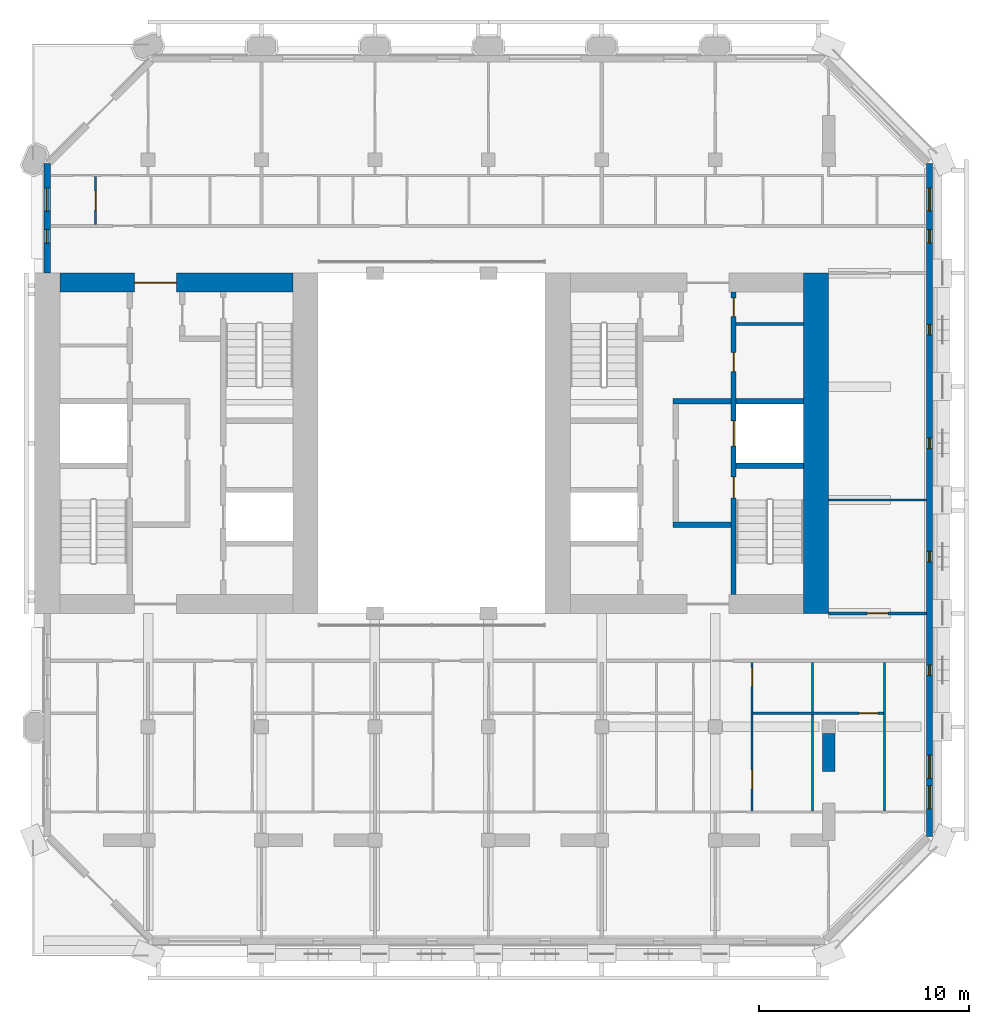
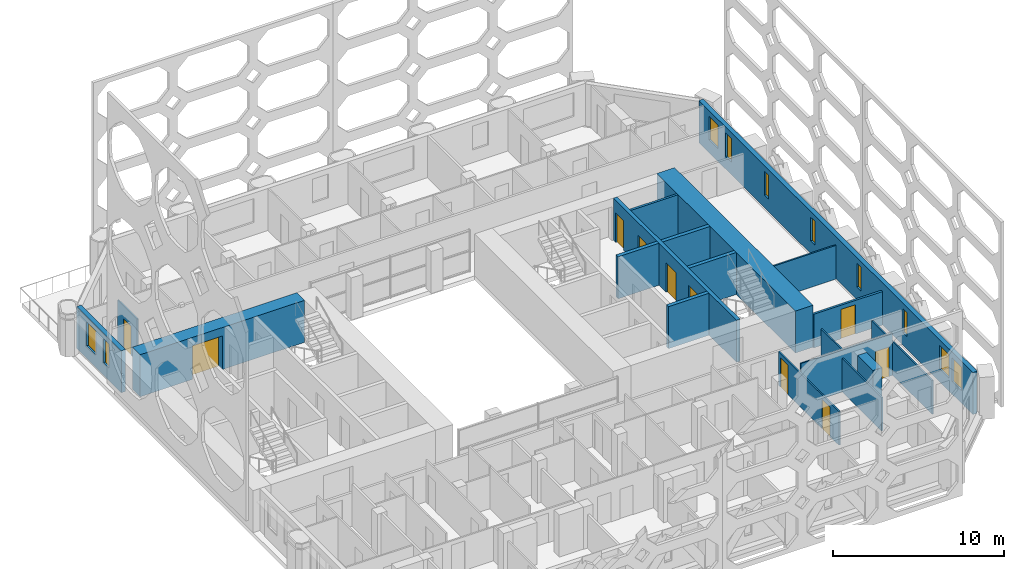
# One storey, part 9 of 15: 19 walls, 10 doors, 10 windows, 20 openings.
"""IFC4 building model written with IfcOpenShell, lengths in metres."""

from ifc_helpers import new_model, si_unit, direction, frame, frame_2d, origin, place, context, subcontext, project, spatial, rectangle, extrude, material, layer, layer_set, type_object, element, fill, save


model = new_model("IFC4")

# Units and contexts
model_context = context("Model", 3, precision=1e-05, world=origin(), true_north=direction((0.0, 1.0)))
body_context = subcontext(model_context, "Body", "Model", "MODEL_VIEW")
ifc_project = project(units=[si_unit("LENGTHUNIT", "METRE"), si_unit("AREAUNIT", "SQUARE_METRE"), si_unit("VOLUMEUNIT", "CUBIC_METRE"), si_unit("PLANEANGLEUNIT", "RADIAN"), si_unit("MASSUNIT", "GRAM", prefix="KILO")], contexts=[model_context])

# Site, building, storey
site_placement = place(None, origin())
site = spatial("IfcSite", under=ifc_project, at=site_placement, CompositionType="ELEMENT")
building_placement = place(site_placement, origin())
building = spatial("IfcBuilding", under=site, at=building_placement, Name="Tabaq Tower and Sports Hall", CompositionType="ELEMENT")
storey_placement = place(building_placement, frame((0.0, 0.0, 265.300048828125)))
storey = spatial("IfcBuildingStorey", under=building, at=storey_placement, Name="L64", CompositionType="ELEMENT", Elevation=265.300048828125)

# Walls
ifc_material_1 = material(Name="Blockwork", Category="masonry")
ifc_layer_1 = layer(ifc_material_1, 0.14990234375)
ifc_layer_set_1 = layer_set([ifc_layer_1], Name="Core room partition 150 Blockwork")
wall_type_1 = type_object("IfcWallType", Name="Core room partition 150 Blockwork", PredefinedType="PARTITIONING", material=ifc_layer_set_1)
wall_1_placement = place(storey_placement, frame((38.800048828125, 29.97705078125, 0.0), z_axis=(0.0, 0.0, 1.0), x_axis=(1.0, 0.0, 0.0)))
element("IfcWall", 1, at=wall_1_placement, inside=storey, type_object=wall_type_1, Name="Core room partition E L64", PredefinedType="PARTITIONING", context=body_context, shape_type="SweptSolid", body=[
    extrude(rectangle(XDim=3.199951171875, YDim=0.14990234375, at=frame_2d((1.60009765625, 0.0))), origin(), (0.0, 0.0, 1.0), 3.0),
])
ifc_material_2 = material(Name="Concrete C40/50", Category="concrete")
ifc_layer_2 = layer(ifc_material_2, 1.199951171875)
ifc_layer_set_2 = layer_set([ifc_layer_2], Name="Core wall 1200 Concrete C40/50")
wall_type_2 = type_object("IfcWallType", Name="Core wall 1200 Concrete C40/50", PredefinedType="SOLIDWALL", material=ifc_layer_set_2)
wall_2_placement = place(storey_placement, frame((42.60009765625, 32.39990234375, 0.0), z_axis=(0.0, 0.0, 1.0), x_axis=(0.0, -1.0, 0.0)))
element("IfcWall", 2, at=wall_2_placement, inside=storey, type_object=wall_type_2, Name="Core wall E L64", PredefinedType="SOLIDWALL", context=body_context, shape_type="SweptSolid", body=[
    extrude(rectangle(XDim=16.199951171875, YDim=1.199951171875, at=frame_2d((8.10009765625, 0.0))), origin(), (0.0, 0.0, 1.0), 3.0),
])

# Wall, opening, door
ifc_material_3 = material(Name="Concrete C40/50", Category="concrete")
ifc_layer_3 = layer(ifc_material_3, 0.89990234375)
ifc_layer_set_3 = layer_set([ifc_layer_3], Name="Core wall 900 Concrete C40/50")
wall_type_3 = type_object("IfcWallType", Name="Core wall 900 Concrete C40/50", PredefinedType="SOLIDWALL", material=ifc_layer_set_3)
wall_3_placement = place(storey_placement, frame((6.60009765625, 31.949951171875, 0.0), z_axis=(0.0, 0.0, 1.0), x_axis=(1.0, 0.0, 0.0)))
wall_3 = element("IfcWall", 3, at=wall_3_placement, inside=storey, type_object=wall_type_3, Name="Core wall W L64", PredefinedType="SOLIDWALL", context=body_context, shape_type="SweptSolid", body=[
    extrude(rectangle(XDim=11.099853515625, YDim=0.89990234375, at=frame_2d((5.5498046875, 0.0))), origin(), (0.0, 0.0, 1.0), 3.0),
])
opening_1_placement = place(wall_3_placement, frame((3.550048828125, 0.0, 0.0)))
opening_1 = element("IfcOpeningElement", 4, at=opening_1_placement, cuts=wall_3, Name="Opening PD-WL64-02", PredefinedType="OPENING", context=body_context, shape_type="SweptSolid", body=[
    extrude(rectangle(XDim=2.0, YDim=2.39990234375, at=frame_2d((1.0, 1.199951171875))), frame((0.0, 0.449951171875, 0.0), z_axis=(0.0, -1.0, 0.0), x_axis=(1.0, 0.0, 0.0)), (0.0, 0.0, 1.0), 0.89990234375),
])
ifc_material_4 = material(Name="Steel fire door", Category="steel")
door_type_1 = type_object("IfcDoorType", Name="Core entrance door 2000", OperationType="DOUBLE_DOOR_SINGLE_SWING", PredefinedType="DOOR", material=ifc_material_4)
door_1_placement = place(opening_1_placement, origin())
door_1 = element("IfcDoor", 5, at=door_1_placement, inside=storey, type_object=door_type_1, Name="Core entrance north W L64", OperationType="DOUBLE_DOOR_SINGLE_SWING", OverallHeight=2.39990234375, OverallWidth=2.0, PredefinedType="DOOR", context=body_context, shape_type="SweptSolid", body=[
    extrude(rectangle(XDim=2.0, YDim=2.39990234375, at=frame_2d((1.0, 1.199951171875))), frame((0.0, 0.02490234375, 0.0), z_axis=(0.0, -1.0, 0.0), x_axis=(1.0, 0.0, 0.0)), (0.0, 0.0, 1.0), 0.050048828125),
])
fill(opening_1, door_1)

ifc_material_5 = material(Name="Gypsum board on steel studs", Category="steel")
ifc_layer_4 = layer(ifc_material_5, 0.10009765625)
ifc_layer_set_4 = layer_set([ifc_layer_4], Name="Partition 100 Gypsum board")
wall_type_4 = type_object("IfcWallType", Name="Partition 100 Gypsum board", PredefinedType="PARTITIONING", material=ifc_layer_set_4)
wall_4_placement = place(storey_placement, frame((8.300048828125, 34.72509765625, 0.0), z_axis=(0.0, 0.0, 1.0), x_axis=(0.0, 1.0, 0.0)))
wall_4 = element("IfcWall", 6, at=wall_4_placement, inside=storey, type_object=wall_type_4, Name="Partition wall L64", PredefinedType="PARTITIONING", context=body_context, shape_type="SweptSolid", body=[
    extrude(rectangle(XDim=2.27490234375, YDim=0.10009765625, at=frame_2d((1.137451171875, 0.0))), origin(), (0.0, 0.0, 1.0), 3.0),
])
opening_2_placement = place(wall_4_placement, frame((0.675048828125, 0.0, 0.0)))
opening_2 = element("IfcOpeningElement", 7, at=opening_2_placement, cuts=wall_4, Name="Opening L64-032", PredefinedType="OPENING", context=body_context, shape_type="SweptSolid", body=[
    extrude(rectangle(XDim=0.89990234375, YDim=2.10009765625, at=frame_2d((0.449951171875, 1.050048828125))), frame((0.0, 0.050048828125, 0.0), z_axis=(0.0, -1.0, 0.0), x_axis=(1.0, 0.0, 0.0)), (0.0, 0.0, 1.0), 0.10009765625),
])
ifc_material_6 = material(Name="Timber leaf in steel frame", Category="steel")
door_type_2 = type_object("IfcDoorType", Name="Internal door 900 left hand", OperationType="SINGLE_SWING_LEFT", PredefinedType="DOOR", material=ifc_material_6)
door_2_placement = place(opening_2_placement, origin())
door_2 = element("IfcDoor", 8, at=door_2_placement, inside=storey, type_object=door_type_2, Name="Internal door L64-032", OperationType="SINGLE_SWING_LEFT", OverallHeight=2.10009765625, OverallWidth=0.89990234375, PredefinedType="DOOR", context=body_context, shape_type="SweptSolid", body=[
    extrude(rectangle(XDim=0.89990234375, YDim=2.10009765625, at=frame_2d((0.449951171875, 1.050048828125))), frame((0.0, 0.02490234375, 0.0), z_axis=(0.0, -1.0, 0.0), x_axis=(1.0, 0.0, 0.0)), (0.0, 0.0, 1.0), 0.050048828125),
])
fill(opening_2, door_2)

# Wall
wall_5_placement = place(storey_placement, frame((43.199951171875, 21.60009765625, 0.0), z_axis=(0.0, 0.0, 1.0), x_axis=(1.0, 0.0, 0.0)))
element("IfcWall", 9, at=wall_5_placement, inside=storey, type_object=wall_type_4, Name="Partition wall L64", PredefinedType="PARTITIONING", context=body_context, shape_type="SweptSolid", body=[
    extrude(rectangle(XDim=4.649169921875, YDim=0.10009765625, at=frame_2d((2.32470703125, 0.0))), origin(), (0.0, 0.0, 1.0), 2.39990234375),
])

# Wall, openings, doors
wall_6_placement = place(storey_placement, frame((39.555908203125, 6.800048828125, 0.0), z_axis=(0.0, 0.0, 1.0), x_axis=(0.0, 1.0, 0.0)))
wall_6 = element("IfcWall", 10, at=wall_6_placement, inside=storey, type_object=wall_type_4, Name="Partition wall L64", PredefinedType="PARTITIONING", context=body_context, shape_type="SweptSolid", body=[
    extrude(rectangle(XDim=7.074951171875, YDim=0.10009765625, at=frame_2d((3.53759765625, 0.0))), origin(), (0.0, 0.0, 1.0), 2.39990234375),
])
opening_3_placement = place(wall_6_placement, frame((1.050048828125, 0.0, 0.0)))
opening_3 = element("IfcOpeningElement", 11, at=opening_3_placement, cuts=wall_6, Name="Opening L64-027", PredefinedType="OPENING", context=body_context, shape_type="SweptSolid", body=[
    extrude(rectangle(XDim=0.89990234375, YDim=2.10009765625, at=frame_2d((0.449951171875, 1.050048828125))), frame((0.0, 0.050048828125, 0.0), z_axis=(0.0, -1.0, 0.0), x_axis=(1.0, 0.0, 0.0)), (0.0, 0.0, 1.0), 0.10009765625),
])
opening_4_placement = place(wall_6_placement, frame((5.925048828125, 0.0, 0.0)))
opening_4 = element("IfcOpeningElement", 12, at=opening_4_placement, cuts=wall_6, Name="Opening L64-028", PredefinedType="OPENING", context=body_context, shape_type="SweptSolid", body=[
    extrude(rectangle(XDim=0.89990234375, YDim=2.10009765625, at=frame_2d((0.449951171875, 1.050048828125))), frame((0.0, 0.050048828125, 0.0), z_axis=(0.0, -1.0, 0.0), x_axis=(1.0, 0.0, 0.0)), (0.0, 0.0, 1.0), 0.10009765625),
])
door_3_placement = place(opening_3_placement, origin())
door_3 = element("IfcDoor", 13, at=door_3_placement, inside=storey, type_object=door_type_2, Name="Internal door L64-027", OperationType="SINGLE_SWING_LEFT", OverallHeight=2.10009765625, OverallWidth=0.89990234375, PredefinedType="DOOR", context=body_context, shape_type="SweptSolid", body=[
    extrude(rectangle(XDim=0.89990234375, YDim=2.10009765625, at=frame_2d((0.449951171875, 1.050048828125))), frame((0.0, 0.02490234375, 0.0), z_axis=(0.0, -1.0, 0.0), x_axis=(1.0, 0.0, 0.0)), (0.0, 0.0, 1.0), 0.050048828125),
])
fill(opening_3, door_3)
door_4_placement = place(opening_4_placement, origin())
door_4 = element("IfcDoor", 14, at=door_4_placement, inside=storey, type_object=door_type_2, Name="Internal door L64-028", OperationType="SINGLE_SWING_LEFT", OverallHeight=2.10009765625, OverallWidth=0.89990234375, PredefinedType="DOOR", context=body_context, shape_type="SweptSolid", body=[
    extrude(rectangle(XDim=0.89990234375, YDim=2.10009765625, at=frame_2d((0.449951171875, 1.050048828125))), frame((0.0, 0.02490234375, 0.0), z_axis=(0.0, -1.0, 0.0), x_axis=(1.0, 0.0, 0.0)), (0.0, 0.0, 1.0), 0.050048828125),
])
fill(opening_4, door_4)

# Walls
wall_7_placement = place(storey_placement, frame((42.43505859375, 6.800048828125, 0.0), z_axis=(0.0, 0.0, 1.0), x_axis=(0.0, 1.0, 0.0)))
element("IfcWall", 15, at=wall_7_placement, inside=storey, type_object=wall_type_4, Name="Partition wall L64", PredefinedType="PARTITIONING", context=body_context, shape_type="SweptSolid", body=[
    extrude(rectangle(XDim=4.599853515625, YDim=0.10009765625, at=frame_2d((2.2998046875, 0.0))), origin(), (0.0, 0.0, 1.0), 2.39990234375),
])
wall_8_placement = place(storey_placement, frame((42.43505859375, 11.5, 0.0), z_axis=(0.0, 0.0, 1.0), x_axis=(0.0, 1.0, 0.0)))
element("IfcWall", 16, at=wall_8_placement, inside=storey, type_object=wall_type_4, Name="Partition wall L64", PredefinedType="PARTITIONING", context=body_context, shape_type="SweptSolid", body=[
    extrude(rectangle(XDim=2.375, YDim=0.10009765625, at=frame_2d((1.1875, 0.0))), origin(), (0.0, 0.0, 1.0), 3.0),
])

# Wall, opening, door
wall_9_placement = place(storey_placement, frame((45.800048828125, 11.449951171875, 0.0), z_axis=(0.0, 0.0, 1.0), x_axis=(-1.0, 0.0, 0.0)))
wall_9 = element("IfcWall", 17, at=wall_9_placement, inside=storey, type_object=wall_type_4, Name="Partition wall L64", PredefinedType="PARTITIONING", context=body_context, shape_type="SweptSolid", body=[
    extrude(rectangle(XDim=6.194091796875, YDim=0.10009765625, at=frame_2d((3.09716796875, 0.0))), origin(), (0.0, 0.0, 1.0), 3.0),
])
opening_5_placement = place(wall_9_placement, frame((0.25, 0.0, 0.0)))
opening_5 = element("IfcOpeningElement", 18, at=opening_5_placement, cuts=wall_9, Name="Opening L64-029", PredefinedType="OPENING", context=body_context, shape_type="SweptSolid", body=[
    extrude(rectangle(XDim=0.89990234375, YDim=2.10009765625, at=frame_2d((0.449951171875, 1.050048828125))), frame((0.0, 0.050048828125, 0.0), z_axis=(0.0, -1.0, 0.0), x_axis=(1.0, 0.0, 0.0)), (0.0, 0.0, 1.0), 0.10009765625),
])
door_5_placement = place(opening_5_placement, origin())
door_5 = element("IfcDoor", 19, at=door_5_placement, inside=storey, type_object=door_type_2, Name="Internal door L64-029", OperationType="SINGLE_SWING_LEFT", OverallHeight=2.10009765625, OverallWidth=0.89990234375, PredefinedType="DOOR", context=body_context, shape_type="SweptSolid", body=[
    extrude(rectangle(XDim=0.89990234375, YDim=2.10009765625, at=frame_2d((0.449951171875, 1.050048828125))), frame((0.0, 0.02490234375, 0.0), z_axis=(0.0, -1.0, 0.0), x_axis=(1.0, 0.0, 0.0)), (0.0, 0.0, 1.0), 0.050048828125),
])
fill(opening_5, door_5)

# Walls
wall_10_placement = place(storey_placement, frame((45.85009765625, 6.800048828125, 0.0), z_axis=(0.0, 0.0, 1.0), x_axis=(0.0, 1.0, 0.0)))
element("IfcWall", 20, at=wall_10_placement, inside=storey, type_object=wall_type_4, Name="Partition wall L64", PredefinedType="PARTITIONING", context=body_context, shape_type="SweptSolid", body=[
    extrude(rectangle(XDim=7.074951171875, YDim=0.10009765625, at=frame_2d((3.53759765625, 0.0))), origin(), (0.0, 0.0, 1.0), 2.39990234375),
])
ifc_material_7 = material(Name="Concrete C40/50", Category="concrete")
ifc_layer_5 = layer(ifc_material_7, 0.60009765625)
ifc_layer_set_5 = layer_set([ifc_layer_5], Name="RC TRANSFER WALL 600 C40/50")
wall_type_5 = type_object("IfcWallType", Name="RC TRANSFER WALL 600 C40/50", PredefinedType="SHEAR", material=ifc_layer_set_5)
wall_11_placement = place(storey_placement, frame((43.199951171875, 8.6875, 0.0), z_axis=(0.0, 0.0, 1.0), x_axis=(0.0, 1.0, 0.0)))
element("IfcWall", 21, at=wall_11_placement, inside=storey, type_object=wall_type_5, Name="Transfer Wall L64 East 2", PredefinedType="SHEAR", context=body_context, shape_type="SweptSolid", body=[
    extrude(rectangle(XDim=1.78759765625, YDim=0.60009765625, at=frame_2d((0.893798828125, 0.0))), origin(), (0.0, 0.0, 1.0), 3.0),
])

# Wall, opening, door
ifc_material_8 = material(Name="Blockwork", Category="masonry")
ifc_layer_6 = layer(ifc_material_8, 0.14990234375)
ifc_layer_set_6 = layer_set([ifc_layer_6], Name="Separating wall 150 Blockwork")
wall_type_6 = type_object("IfcWallType", Name="Separating wall 150 Blockwork", PredefinedType="PARTITIONING", material=ifc_layer_set_6)
wall_12_placement = place(storey_placement, frame((43.199951171875, 16.199951171875, 0.0), z_axis=(0.0, 0.0, 1.0), x_axis=(1.0, 0.0, 0.0)))
wall_12 = element("IfcWall", 22, at=wall_12_placement, inside=storey, type_object=wall_type_6, Name="Separating wall L64", PredefinedType="PARTITIONING", context=body_context, shape_type="SweptSolid", body=[
    extrude(rectangle(XDim=4.649169921875, YDim=0.14990234375, at=frame_2d((2.32470703125, 0.0))), origin(), (0.0, 0.0, 1.0), 2.39990234375),
])
opening_6_placement = place(wall_12_placement, frame((1.824951171875, 0.0, 0.0)))
opening_6 = element("IfcOpeningElement", 23, at=opening_6_placement, cuts=wall_12, Name="Opening L64-030", PredefinedType="OPENING", context=body_context, shape_type="SweptSolid", body=[
    extrude(rectangle(XDim=1.0, YDim=2.10009765625, at=frame_2d((0.5, 1.050048828125))), frame((0.0, 0.074951171875, 0.0), z_axis=(0.0, -1.0, 0.0), x_axis=(1.0, 0.0, 0.0)), (0.0, 0.0, 1.0), 0.14990234375),
])
ifc_material_9 = material(Name="Timber leaf in steel frame", Category="steel")
door_type_3 = type_object("IfcDoorType", Name="Internal door 1000 left hand", OperationType="SINGLE_SWING_LEFT", PredefinedType="DOOR", material=ifc_material_9)
door_6_placement = place(opening_6_placement, origin())
door_6 = element("IfcDoor", 24, at=door_6_placement, inside=storey, type_object=door_type_3, Name="Internal door L64-030", OperationType="SINGLE_SWING_LEFT", OverallHeight=2.10009765625, OverallWidth=1.0, PredefinedType="DOOR", context=body_context, shape_type="SweptSolid", body=[
    extrude(rectangle(XDim=1.0, YDim=2.10009765625, at=frame_2d((0.5, 1.050048828125))), frame((0.0, 0.02490234375, 0.0), z_axis=(0.0, -1.0, 0.0), x_axis=(1.0, 0.0, 0.0)), (0.0, 0.0, 1.0), 0.050048828125),
])
fill(opening_6, door_6)

# Wall, openings, doors
ifc_material_10 = material(Name="Concrete C40/50", Category="concrete")
ifc_layer_7 = layer(ifc_material_10, 0.25)
ifc_layer_set_7 = layer_set([ifc_layer_7], Name="Shaft and stair wall 250 Concrete C40/50")
wall_type_7 = type_object("IfcWallType", Name="Shaft and stair wall 250 Concrete C40/50", PredefinedType="SOLIDWALL", material=ifc_layer_set_7)
wall_13_placement = place(storey_placement, frame((38.675048828125, 17.10009765625, 0.0), z_axis=(0.0, 0.0, 1.0), x_axis=(0.0, 1.0, 0.0)))
wall_13 = element("IfcWall", 25, at=wall_13_placement, inside=storey, type_object=wall_type_7, Name="Shaft wall E L64", PredefinedType="SOLIDWALL", context=body_context, shape_type="SweptSolid", body=[
    extrude(rectangle(XDim=14.39990234375, YDim=0.25, at=frame_2d((7.199951171875, 0.0))), origin(), (0.0, 0.0, 1.0), 3.0),
])
opening_7_placement = place(wall_13_placement, frame((4.60009765625, 0.0, 0.0)))
opening_7 = element("IfcOpeningElement", 26, at=opening_7_placement, cuts=wall_13, Name="Opening SD-EL64-03", PredefinedType="OPENING", context=body_context, shape_type="SweptSolid", body=[
    extrude(rectangle(XDim=1.0, YDim=2.10009765625, at=frame_2d((0.5, 1.050048828125))), frame((0.0, 0.125, 0.0), z_axis=(0.0, -1.0, 0.0), x_axis=(1.0, 0.0, 0.0)), (0.0, 0.0, 1.0), 0.25),
])
opening_8_placement = place(wall_13_placement, frame((7.0625, 0.0, 0.0)))
opening_8 = element("IfcOpeningElement", 27, at=opening_8_placement, cuts=wall_13, Name="Opening LD-FF2-L64", PredefinedType="OPENING", context=body_context, shape_type="SweptSolid", body=[
    extrude(rectangle(XDim=1.199951171875, YDim=2.10009765625, at=frame_2d((0.60009765625, 1.050048828125))), frame((0.0, 0.125, 0.0), z_axis=(0.0, -1.0, 0.0), x_axis=(1.0, 0.0, 0.0)), (0.0, 0.0, 1.0), 0.25),
])
opening_9_placement = place(wall_13_placement, frame((10.613525390625, 0.0, 0.0)))
opening_9 = element("IfcOpeningElement", 28, at=opening_9_placement, cuts=wall_13, Name="Opening RD-EL64-09", PredefinedType="OPENING", context=body_context, shape_type="SweptSolid", body=[
    extrude(rectangle(XDim=0.89990234375, YDim=2.10009765625, at=frame_2d((0.449951171875, 1.050048828125))), frame((0.0, 0.125, 0.0), z_axis=(0.0, -1.0, 0.0), x_axis=(1.0, 0.0, 0.0)), (0.0, 0.0, 1.0), 0.25),
])
opening_10_placement = place(wall_13_placement, frame((13.22607421875, 0.0, 0.0)))
opening_10 = element("IfcOpeningElement", 29, at=opening_10_placement, cuts=wall_13, Name="Opening RD-EL64-10", PredefinedType="OPENING", context=body_context, shape_type="SweptSolid", body=[
    extrude(rectangle(XDim=0.89990234375, YDim=2.10009765625, at=frame_2d((0.449951171875, 1.050048828125))), frame((0.0, 0.125, 0.0), z_axis=(0.0, -1.0, 0.0), x_axis=(1.0, 0.0, 0.0)), (0.0, 0.0, 1.0), 0.25),
])
ifc_material_11 = material(Name="Steel fire door", Category="steel")
door_type_4 = type_object("IfcDoorType", Name="Core room door 900", OperationType="SINGLE_SWING_LEFT", PredefinedType="DOOR", material=ifc_material_11)
door_7_placement = place(opening_9_placement, origin())
door_7 = element("IfcDoor", 30, at=door_7_placement, inside=storey, type_object=door_type_4, Name="Door Comms Room E L64", OperationType="SINGLE_SWING_LEFT", OverallHeight=2.10009765625, OverallWidth=0.89990234375, PredefinedType="DOOR", context=body_context, shape_type="SweptSolid", body=[
    extrude(rectangle(XDim=0.89990234375, YDim=2.10009765625, at=frame_2d((0.449951171875, 1.050048828125))), frame((0.0, 0.02490234375, 0.0), z_axis=(0.0, -1.0, 0.0), x_axis=(1.0, 0.0, 0.0)), (0.0, 0.0, 1.0), 0.050048828125),
])
fill(opening_9, door_7)
door_8_placement = place(opening_10_placement, origin())
door_8 = element("IfcDoor", 31, at=door_8_placement, inside=storey, type_object=door_type_4, Name="Door Electrical Room E L64", OperationType="SINGLE_SWING_LEFT", OverallHeight=2.10009765625, OverallWidth=0.89990234375, PredefinedType="DOOR", context=body_context, shape_type="SweptSolid", body=[
    extrude(rectangle(XDim=0.89990234375, YDim=2.10009765625, at=frame_2d((0.449951171875, 1.050048828125))), frame((0.0, 0.02490234375, 0.0), z_axis=(0.0, -1.0, 0.0), x_axis=(1.0, 0.0, 0.0)), (0.0, 0.0, 1.0), 0.050048828125),
])
fill(opening_10, door_8)
ifc_material_12 = material(Name="Stainless steel", Category="steel")
door_type_5 = type_object("IfcDoorType", Name="Lift landing door 1200", OperationType="DOUBLE_DOOR_SLIDING", PredefinedType="DOOR", material=ifc_material_12)
door_9_placement = place(opening_8_placement, origin())
door_9 = element("IfcDoor", 32, at=door_9_placement, inside=storey, type_object=door_type_5, Name="Lift landing door FF2 E L64", OperationType="DOUBLE_DOOR_SLIDING", OverallHeight=2.10009765625, OverallWidth=1.199951171875, PredefinedType="DOOR", context=body_context, shape_type="SweptSolid", body=[
    extrude(rectangle(XDim=1.199951171875, YDim=2.10009765625, at=frame_2d((0.60009765625, 1.050048828125))), frame((0.0, 0.02490234375, 0.0), z_axis=(0.0, -1.0, 0.0), x_axis=(1.0, 0.0, 0.0)), (0.0, 0.0, 1.0), 0.050048828125),
])
fill(opening_8, door_9)
ifc_material_13 = material(Name="Steel fire door", Category="steel")
door_type_6 = type_object("IfcDoorType", Name="Stair door 1000", OperationType="SINGLE_SWING_LEFT", PredefinedType="DOOR", material=ifc_material_13)
door_10_placement = place(opening_7_placement, origin())
door_10 = element("IfcDoor", 33, at=door_10_placement, inside=storey, type_object=door_type_6, Name="Stair door ST3 E L64", OperationType="SINGLE_SWING_LEFT", OverallHeight=2.10009765625, OverallWidth=1.0, PredefinedType="DOOR", context=body_context, shape_type="SweptSolid", body=[
    extrude(rectangle(XDim=1.0, YDim=2.10009765625, at=frame_2d((0.5, 1.050048828125))), frame((0.0, 0.02490234375, 0.0), z_axis=(0.0, -1.0, 0.0), x_axis=(1.0, 0.0, 0.0)), (0.0, 0.0, 1.0), 0.050048828125),
])
fill(opening_7, door_10)

# Walls
for number, where, z_axis, x_axis, name in (
    (34, (38.800048828125, 23.22509765625, 0.0), (0.0, 0.0, 1.0), (1.0, 0.0, 0.0), "Stair enclosure wall E L64"),
    (35, (38.800048828125, 26.300048828125, 0.0), (0.0, 0.0, 1.0), (1.0, 0.0, 0.0), "Shaft wall E L64"),
):
    element("IfcWall", number, at=place(storey_placement, frame(where, z_axis=z_axis, x_axis=x_axis)), inside=storey, type_object=wall_type_7, Name=name, PredefinedType="SOLIDWALL", context=body_context, shape_type="SweptSolid", body=[
        extrude(rectangle(XDim=3.199951171875, YDim=0.25, at=frame_2d((1.60009765625, 0.0))), origin(), (0.0, 0.0, 1.0), 3.0),
    ])
for number, where, z_axis, x_axis, name in (
    (36, (35.800048828125, 26.300048828125, 0.0), (0.0, 0.0, 1.0), (1.0, 0.0, 0.0), "Fire-fighting lobby wall E L64"),
    (37, (35.800048828125, 20.425048828125, 0.0), (0.0, 0.0, 1.0), (1.0, 0.0, 0.0), "Fire-fighting lobby wall E L64"),
):
    element("IfcWall", number, at=place(storey_placement, frame(where, z_axis=z_axis, x_axis=x_axis)), inside=storey, type_object=wall_type_7, Name=name, PredefinedType="SOLIDWALL", context=body_context, shape_type="SweptSolid", body=[
        extrude(rectangle(XDim=2.75, YDim=0.25, at=frame_2d((1.375, 0.0))), origin(), (0.0, 0.0, 1.0), 3.0),
    ])

# Wall, openings, windows
ifc_material_14 = material(Name="White precast concrete C60/75", Category="concrete")
ifc_layer_8 = layer(ifc_material_14, 0.300048828125)
ifc_layer_set_8 = layer_set([ifc_layer_8], Name="White precast concrete C60/75 external wall 300")
wall_type_8 = type_object("IfcWallType", Name="White precast concrete C60/75 external wall 300", PredefinedType="SOLIDWALL", material=ifc_layer_set_8)
wall_14_placement = place(storey_placement, frame((48.0, 5.58642578125, 0.0), z_axis=(0.0, 0.0, 1.0), x_axis=(0.0, 1.0, 0.0)))
wall_14 = element("IfcWall", 38, at=wall_14_placement, inside=storey, type_object=wall_type_8, Name="External Wall L64 E", PredefinedType="SOLIDWALL", context=body_context, shape_type="SweptSolid", body=[
    extrude(rectangle(XDim=32.027099609375, YDim=0.300048828125, at=frame_2d((16.013671875, 0.0))), origin(), (0.0, 0.0, 1.0), 3.0),
])
opening_11_placement = place(wall_14_placement, frame((1.313720703125, 0.0, 0.89990234375)))
opening_11 = element("IfcOpeningElement", 39, at=opening_11_placement, cuts=wall_14, Name="Opening W1B", PredefinedType="OPENING", context=body_context, shape_type="SweptSolid", body=[
    extrude(rectangle(XDim=1.10009765625, YDim=1.699951171875, at=frame_2d((0.550048828125, 0.85009765625))), frame((0.0, 0.16015625, 0.0), z_axis=(0.0, -1.0, 0.0), x_axis=(1.0, 0.0, 0.0)), (0.0, 0.0, 1.0), 0.320068359375),
])
opening_12_placement = place(wall_14_placement, frame((2.763671875, 0.0, 0.89990234375)))
opening_12 = element("IfcOpeningElement", 40, at=opening_12_placement, cuts=wall_14, Name="Opening W1B", PredefinedType="OPENING", context=body_context, shape_type="SweptSolid", body=[
    extrude(rectangle(XDim=1.10009765625, YDim=1.699951171875, at=frame_2d((0.550048828125, 0.85009765625))), frame((0.0, 0.16015625, 0.0), z_axis=(0.0, -1.0, 0.0), x_axis=(1.0, 0.0, 0.0)), (0.0, 0.0, 1.0), 0.320068359375),
])
opening_13_placement = place(wall_14_placement, frame((7.66357421875, 0.0, 0.89990234375)))
opening_13 = element("IfcOpeningElement", 41, at=opening_13_placement, cuts=wall_14, Name="Opening W1E", PredefinedType="OPENING", context=body_context, shape_type="SweptSolid", body=[
    extrude(rectangle(XDim=0.5, YDim=1.699951171875, at=frame_2d((0.25, 0.85009765625))), frame((0.0, 0.16015625, 0.0), z_axis=(0.0, -1.0, 0.0), x_axis=(1.0, 0.0, 0.0)), (0.0, 0.0, 1.0), 0.320068359375),
])
opening_14_placement = place(wall_14_placement, frame((13.063720703125, 0.0, 0.89990234375)))
opening_14 = element("IfcOpeningElement", 42, at=opening_14_placement, cuts=wall_14, Name="Opening W1E", PredefinedType="OPENING", context=body_context, shape_type="SweptSolid", body=[
    extrude(rectangle(XDim=0.5, YDim=1.699951171875, at=frame_2d((0.25, 0.85009765625))), frame((0.0, 0.16015625, 0.0), z_axis=(0.0, -1.0, 0.0), x_axis=(1.0, 0.0, 0.0)), (0.0, 0.0, 1.0), 0.320068359375),
])
opening_15_placement = place(wall_14_placement, frame((18.463623046875, 0.0, 0.89990234375)))
opening_15 = element("IfcOpeningElement", 43, at=opening_15_placement, cuts=wall_14, Name="Opening W1E", PredefinedType="OPENING", context=body_context, shape_type="SweptSolid", body=[
    extrude(rectangle(XDim=0.5, YDim=1.699951171875, at=frame_2d((0.25, 0.85009765625))), frame((0.0, 0.16015625, 0.0), z_axis=(0.0, -1.0, 0.0), x_axis=(1.0, 0.0, 0.0)), (0.0, 0.0, 1.0), 0.320068359375),
])
opening_16_placement = place(wall_14_placement, frame((23.863525390625, 0.0, 0.89990234375)))
opening_16 = element("IfcOpeningElement", 44, at=opening_16_placement, cuts=wall_14, Name="Opening W1E", PredefinedType="OPENING", context=body_context, shape_type="SweptSolid", body=[
    extrude(rectangle(XDim=0.5, YDim=1.699951171875, at=frame_2d((0.25, 0.85009765625))), frame((0.0, 0.16015625, 0.0), z_axis=(0.0, -1.0, 0.0), x_axis=(1.0, 0.0, 0.0)), (0.0, 0.0, 1.0), 0.320068359375),
])
opening_17_placement = place(wall_14_placement, frame((28.238525390625, 0.0, 0.89990234375)))
opening_17 = element("IfcOpeningElement", 45, at=opening_17_placement, cuts=wall_14, Name="Opening W1C", PredefinedType="OPENING", context=body_context, shape_type="SweptSolid", body=[
    extrude(rectangle(XDim=0.64990234375, YDim=1.699951171875, at=frame_2d((0.324951171875, 0.85009765625))), frame((0.0, 0.16015625, 0.0), z_axis=(0.0, -1.0, 0.0), x_axis=(1.0, 0.0, 0.0)), (0.0, 0.0, 1.0), 0.320068359375),
])
opening_18_placement = place(wall_14_placement, frame((29.763671875, 0.0, 0.89990234375)))
opening_18 = element("IfcOpeningElement", 46, at=opening_18_placement, cuts=wall_14, Name="Opening W1B", PredefinedType="OPENING", context=body_context, shape_type="SweptSolid", body=[
    extrude(rectangle(XDim=1.10009765625, YDim=1.699951171875, at=frame_2d((0.550048828125, 0.85009765625))), frame((0.0, 0.16015625, 0.0), z_axis=(0.0, -1.0, 0.0), x_axis=(1.0, 0.0, 0.0)), (0.0, 0.0, 1.0), 0.320068359375),
])
ifc_material_15 = material(Name="Aluminium framed clear glazing", Category="aluminium")
window_type_1 = type_object("IfcWindowType", Name="Window W1B", PartitioningType="SINGLE_PANEL", PredefinedType="WINDOW", material=ifc_material_15)
window_1_placement = place(opening_11_placement, origin())
window_1 = element("IfcWindow", 47, at=window_1_placement, inside=storey, type_object=window_type_1, Name="Window W1B L64", OverallHeight=1.699951171875, OverallWidth=1.10009765625, PartitioningType="SINGLE_PANEL", PredefinedType="WINDOW", context=body_context, shape_type="SweptSolid", body=[
    extrude(rectangle(XDim=1.10009765625, YDim=1.699951171875, at=frame_2d((0.550048828125, 0.85009765625))), frame((0.0, 0.030029296875, 0.0), z_axis=(0.0, -1.0, 0.0), x_axis=(1.0, 0.0, 0.0)), (0.0, 0.0, 1.0), 0.06005859375),
])
fill(opening_11, window_1)
window_2_placement = place(opening_12_placement, origin())
window_2 = element("IfcWindow", 48, at=window_2_placement, inside=storey, type_object=window_type_1, Name="Window W1B L64", OverallHeight=1.699951171875, OverallWidth=1.10009765625, PartitioningType="SINGLE_PANEL", PredefinedType="WINDOW", context=body_context, shape_type="SweptSolid", body=[
    extrude(rectangle(XDim=1.10009765625, YDim=1.699951171875, at=frame_2d((0.550048828125, 0.85009765625))), frame((0.0, 0.030029296875, 0.0), z_axis=(0.0, -1.0, 0.0), x_axis=(1.0, 0.0, 0.0)), (0.0, 0.0, 1.0), 0.06005859375),
])
fill(opening_12, window_2)
window_3_placement = place(opening_18_placement, origin())
window_3 = element("IfcWindow", 49, at=window_3_placement, inside=storey, type_object=window_type_1, Name="Window W1B L64", OverallHeight=1.699951171875, OverallWidth=1.10009765625, PartitioningType="SINGLE_PANEL", PredefinedType="WINDOW", context=body_context, shape_type="SweptSolid", body=[
    extrude(rectangle(XDim=1.10009765625, YDim=1.699951171875, at=frame_2d((0.550048828125, 0.85009765625))), frame((0.0, 0.030029296875, 0.0), z_axis=(0.0, -1.0, 0.0), x_axis=(1.0, 0.0, 0.0)), (0.0, 0.0, 1.0), 0.06005859375),
])
fill(opening_18, window_3)
ifc_material_16 = material(Name="Aluminium framed clear glazing", Category="aluminium")
window_type_2 = type_object("IfcWindowType", Name="Window W1C", PartitioningType="SINGLE_PANEL", PredefinedType="WINDOW", material=ifc_material_16)
window_4_placement = place(opening_17_placement, origin())
window_4 = element("IfcWindow", 50, at=window_4_placement, inside=storey, type_object=window_type_2, Name="Window W1C L64", OverallHeight=1.699951171875, OverallWidth=0.64990234375, PartitioningType="SINGLE_PANEL", PredefinedType="WINDOW", context=body_context, shape_type="SweptSolid", body=[
    extrude(rectangle(XDim=0.64990234375, YDim=1.699951171875, at=frame_2d((0.324951171875, 0.85009765625))), frame((0.0, 0.030029296875, 0.0), z_axis=(0.0, -1.0, 0.0), x_axis=(1.0, 0.0, 0.0)), (0.0, 0.0, 1.0), 0.06005859375),
])
fill(opening_17, window_4)
ifc_material_17 = material(Name="Aluminium framed clear glazing", Category="aluminium")
window_type_3 = type_object("IfcWindowType", Name="Window W1E", PartitioningType="SINGLE_PANEL", PredefinedType="WINDOW", material=ifc_material_17)
window_5_placement = place(opening_13_placement, origin())
window_5 = element("IfcWindow", 51, at=window_5_placement, inside=storey, type_object=window_type_3, Name="Window W1E L64", OverallHeight=1.699951171875, OverallWidth=0.5, PartitioningType="SINGLE_PANEL", PredefinedType="WINDOW", context=body_context, shape_type="SweptSolid", body=[
    extrude(rectangle(XDim=0.5, YDim=1.699951171875, at=frame_2d((0.25, 0.85009765625))), frame((0.0, 0.030029296875, 0.0), z_axis=(0.0, -1.0, 0.0), x_axis=(1.0, 0.0, 0.0)), (0.0, 0.0, 1.0), 0.06005859375),
])
fill(opening_13, window_5)
window_6_placement = place(opening_14_placement, origin())
window_6 = element("IfcWindow", 52, at=window_6_placement, inside=storey, type_object=window_type_3, Name="Window W1E L64", OverallHeight=1.699951171875, OverallWidth=0.5, PartitioningType="SINGLE_PANEL", PredefinedType="WINDOW", context=body_context, shape_type="SweptSolid", body=[
    extrude(rectangle(XDim=0.5, YDim=1.699951171875, at=frame_2d((0.25, 0.85009765625))), frame((0.0, 0.030029296875, 0.0), z_axis=(0.0, -1.0, 0.0), x_axis=(1.0, 0.0, 0.0)), (0.0, 0.0, 1.0), 0.06005859375),
])
fill(opening_14, window_6)
window_7_placement = place(opening_15_placement, origin())
window_7 = element("IfcWindow", 53, at=window_7_placement, inside=storey, type_object=window_type_3, Name="Window W1E L64", OverallHeight=1.699951171875, OverallWidth=0.5, PartitioningType="SINGLE_PANEL", PredefinedType="WINDOW", context=body_context, shape_type="SweptSolid", body=[
    extrude(rectangle(XDim=0.5, YDim=1.699951171875, at=frame_2d((0.25, 0.85009765625))), frame((0.0, 0.030029296875, 0.0), z_axis=(0.0, -1.0, 0.0), x_axis=(1.0, 0.0, 0.0)), (0.0, 0.0, 1.0), 0.06005859375),
])
fill(opening_15, window_7)
window_8_placement = place(opening_16_placement, origin())
window_8 = element("IfcWindow", 54, at=window_8_placement, inside=storey, type_object=window_type_3, Name="Window W1E L64", OverallHeight=1.699951171875, OverallWidth=0.5, PartitioningType="SINGLE_PANEL", PredefinedType="WINDOW", context=body_context, shape_type="SweptSolid", body=[
    extrude(rectangle(XDim=0.5, YDim=1.699951171875, at=frame_2d((0.25, 0.85009765625))), frame((0.0, 0.030029296875, 0.0), z_axis=(0.0, -1.0, 0.0), x_axis=(1.0, 0.0, 0.0)), (0.0, 0.0, 1.0), 0.06005859375),
])
fill(opening_16, window_8)

wall_15_placement = place(storey_placement, frame((6.0, 37.613525390625, 0.0), z_axis=(0.0, 0.0, 1.0), x_axis=(0.0, -1.0, 0.0)))
wall_15 = element("IfcWall", 55, at=wall_15_placement, inside=storey, type_object=wall_type_8, Name="External Wall L64 W", PredefinedType="SOLIDWALL", context=body_context, shape_type="SweptSolid", body=[
    extrude(rectangle(XDim=5.213623046875, YDim=0.300048828125, at=frame_2d((2.60693359375, 0.0))), origin(), (0.0, 0.0, 1.0), 3.0),
])
opening_19_placement = place(wall_15_placement, frame((1.16357421875, 0.0, 0.89990234375)))
opening_19 = element("IfcOpeningElement", 56, at=opening_19_placement, cuts=wall_15, Name="Opening W1B", PredefinedType="OPENING", context=body_context, shape_type="SweptSolid", body=[
    extrude(rectangle(XDim=1.10009765625, YDim=1.699951171875, at=frame_2d((0.550048828125, 0.85009765625))), frame((0.0, 0.16015625, 0.0), z_axis=(0.0, -1.0, 0.0), x_axis=(1.0, 0.0, 0.0)), (0.0, 0.0, 1.0), 0.320068359375),
])
opening_20_placement = place(wall_15_placement, frame((3.138671875, 0.0, 0.89990234375)))
opening_20 = element("IfcOpeningElement", 57, at=opening_20_placement, cuts=wall_15, Name="Opening W1C", PredefinedType="OPENING", context=body_context, shape_type="SweptSolid", body=[
    extrude(rectangle(XDim=0.64990234375, YDim=1.699951171875, at=frame_2d((0.324951171875, 0.85009765625))), frame((0.0, 0.16015625, 0.0), z_axis=(0.0, -1.0, 0.0), x_axis=(1.0, 0.0, 0.0)), (0.0, 0.0, 1.0), 0.320068359375),
])
window_9_placement = place(opening_19_placement, origin())
window_9 = element("IfcWindow", 58, at=window_9_placement, inside=storey, type_object=window_type_1, Name="Window W1B L64", OverallHeight=1.699951171875, OverallWidth=1.10009765625, PartitioningType="SINGLE_PANEL", PredefinedType="WINDOW", context=body_context, shape_type="SweptSolid", body=[
    extrude(rectangle(XDim=1.10009765625, YDim=1.699951171875, at=frame_2d((0.550048828125, 0.85009765625))), frame((0.0, 0.030029296875, 0.0), z_axis=(0.0, -1.0, 0.0), x_axis=(1.0, 0.0, 0.0)), (0.0, 0.0, 1.0), 0.06005859375),
])
fill(opening_19, window_9)
window_10_placement = place(opening_20_placement, origin())
window_10 = element("IfcWindow", 59, at=window_10_placement, inside=storey, type_object=window_type_2, Name="Window W1C L64", OverallHeight=1.699951171875, OverallWidth=0.64990234375, PartitioningType="SINGLE_PANEL", PredefinedType="WINDOW", context=body_context, shape_type="SweptSolid", body=[
    extrude(rectangle(XDim=0.64990234375, YDim=1.699951171875, at=frame_2d((0.324951171875, 0.85009765625))), frame((0.0, 0.030029296875, 0.0), z_axis=(0.0, -1.0, 0.0), x_axis=(1.0, 0.0, 0.0)), (0.0, 0.0, 1.0), 0.06005859375),
])
fill(opening_20, window_10)

save(model, "model.ifc")
